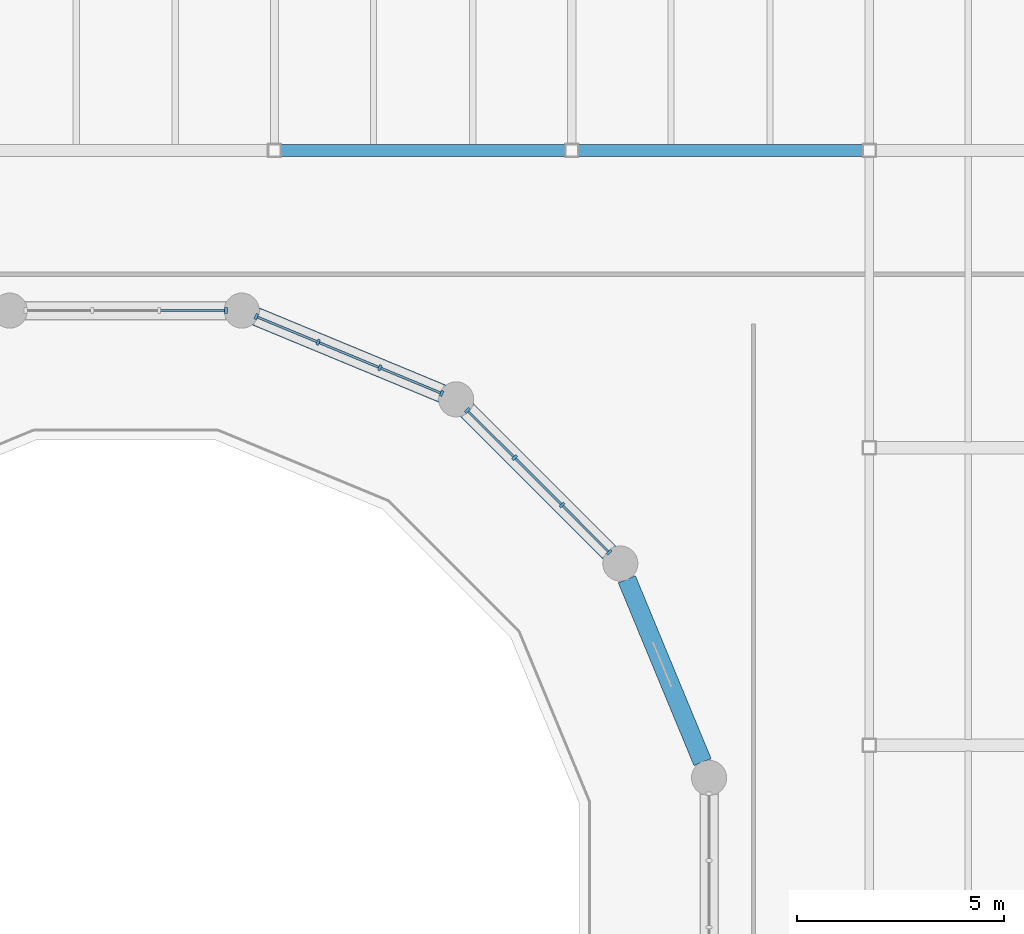
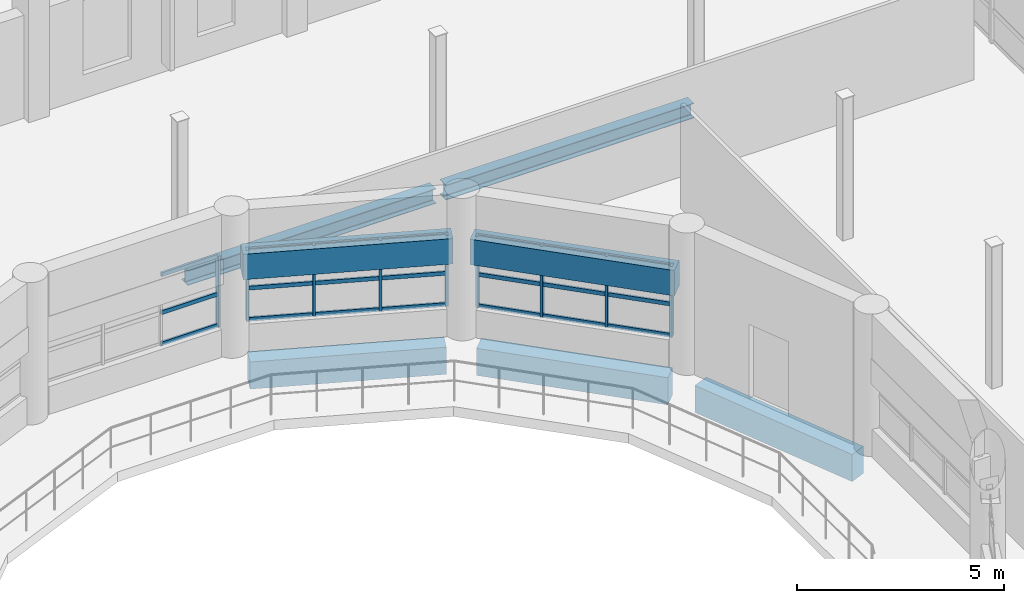
# One storey, part 31 of 63: 30 members, 7 beams, 3 elements without a shape of their own.
"""IFC4 building model written with IfcOpenShell, lengths in metres."""

from ifc_helpers import new_model, si_unit, direction, frame, origin, origin_2d, place, context, subcontext, project, spatial, rectangle, i_section, extrude, material, material_profile, profile_set, type_object, element, aggregate, save


model = new_model("IFC4")

# Units and contexts
model_context = context("Model", 3, precision=1e-05, world=origin(), true_north=direction((0.0, 1.0)))
body_context = subcontext(model_context, "Body", "Model", "MODEL_VIEW")
ifc_project = project(units=[si_unit("LENGTHUNIT", "METRE"), si_unit("AREAUNIT", "SQUARE_METRE"), si_unit("VOLUMEUNIT", "CUBIC_METRE"), si_unit("PLANEANGLEUNIT", "RADIAN"), si_unit("MASSUNIT", "GRAM", prefix="KILO")], contexts=[model_context])

# Site, building, storey
site_placement = place(None, origin())
site = spatial("IfcSite", under=ifc_project, at=site_placement, CompositionType="ELEMENT")
building_placement = place(site_placement, origin())
building = spatial("IfcBuilding", under=site, at=building_placement, Name="Qiaolan Assembly House", CompositionType="ELEMENT")
storey_placement = place(building_placement, frame((0.0, 0.0, 14.39990234375)))
storey = spatial("IfcBuildingStorey", under=building, at=storey_placement, Name="L03", CompositionType="ELEMENT", Elevation=14.39990234375)

# Beams
ifc_material_1 = material(Name="Concrete C40/50", Category="concrete")
ifc_material_profile_1 = material_profile(ifc_material_1, rectangle(XDim=0.449951171875, YDim=0.75, at=origin_2d()), Name="RCB 450x750")
ifc_profile_set_1 = profile_set([ifc_material_profile_1], Name="Concrete C40/50")
beam_type_1 = type_object("IfcBeamType", Name="BM-RC-450x750", PredefinedType="BEAM", material=ifc_profile_set_1)
for number, where, z_axis, x_axis, name in (
    (1, (76.576904296875, 72.996337890625, 2.525146484375), (0.707106781187, -0.707106781187, 0.0), (0.707106781187, 0.707106781187, 0.0), "GB-04 drum clerestory lintel beam 2 L03"),
    (2, (71.440185546875, 75.2275390625, 2.525146484375), (0.92388487309, -0.382670538813, 0.0), (0.382670538813, 0.92388487309, 0.0), "GB-04 drum clerestory lintel beam 3 L03"),
):
    element("IfcBeam", number, at=place(storey_placement, frame(where, z_axis=z_axis, x_axis=x_axis)), inside=storey, type_object=beam_type_1, Name=name, PredefinedType="BEAM", context=body_context, shape_type="SweptSolid", body=[
        extrude(rectangle(XDim=0.449951171875, YDim=0.75, at=origin_2d()), origin(), (0.0, 0.0, 1.0), 5.11865234375),
    ])
ifc_material_profile_2 = material_profile(ifc_material_1, rectangle(XDim=0.449951171875, YDim=0.800048828125, at=origin_2d()), Name="RCB 450x800")
ifc_profile_set_2 = profile_set([ifc_material_profile_2], Name="Concrete C40/50")
beam_type_2 = type_object("IfcBeamType", Name="BM-RC-450x800", PredefinedType="BEAM", material=ifc_profile_set_2)
for number, where, z_axis, x_axis, name in (
    (3, (82.364501953125, 64.392822265625, -0.68994140625), (-0.38268500057, 0.923878882938, 0.0), (-0.923878882938, -0.38268500057, 0.0), "GB-03 beam BM-DRUM-L03-00"),
    (4, (80.079833984375, 69.49365234375, -0.68994140625), (-0.707132272157, 0.707081289297, 0.0), (-0.707081289297, -0.707132272157, 0.0), "GB-03 beam BM-DRUM-L03-01"),
    (5, (76.016845703125, 73.33203125, -0.68994140625), (-0.923878882938, 0.38268500057, 0.0), (-0.38268500057, -0.923878882938, 0.0), "GB-03 beam BM-DRUM-L03-02"),
):
    element("IfcBeam", number, at=place(storey_placement, frame(where, z_axis=z_axis, x_axis=x_axis)), inside=storey, type_object=beam_type_2, Name=name, PredefinedType="BEAM", context=body_context, shape_type="SweptSolid", body=[
        extrude(rectangle(XDim=0.449951171875, YDim=0.800048828125, at=origin_2d()), origin(), (0.0, 0.0, 1.0), 4.78857421875),
    ])
ifc_material_2 = material(Name="Steel Q355B", Category="steel")
ifc_material_profile_3 = material_profile(ifc_material_2, i_section(OverallWidth=0.300048828125, OverallDepth=0.43994140625, WebThickness=0.010986328125, FlangeThickness=0.01806640625, FilletRadius=0.02001953125, at=origin_2d()), Name="HM 440x300x11x18")
ifc_profile_set_3 = profile_set([ifc_material_profile_3], Name="Steel Q355B")
beam_type_3 = type_object("IfcBeamType", Name="BM-STL-HM440", PredefinedType="BEAM", material=ifc_profile_set_3)
beam_1_placement = place(storey_placement, frame((72.139892578125, 79.199951171875, -0.52001953125), z_axis=(1.0, 0.0, 0.0), x_axis=(0.0, 1.0, 0.0)))
element("IfcBeam", 6, at=beam_1_placement, inside=storey, type_object=beam_type_3, Name="SB-06 beam BMX-HLC-L03-04-06", PredefinedType="BEAM", context=body_context, shape_type="SweptSolid", body=[
    extrude(i_section(OverallWidth=0.300048828125, OverallDepth=0.43994140625, WebThickness=0.010986328125, FlangeThickness=0.01806640625, FilletRadius=0.02001953125, at=origin_2d()), origin(), (0.0, 0.0, 1.0), 6.920166015625),
])
beam_2_placement = place(storey_placement, frame((79.340087890625, 79.199951171875, -0.52001953125), z_axis=(1.0, 0.0, 0.0), x_axis=(0.0, 1.0, 0.0)))
element("IfcBeam", 7, at=beam_2_placement, inside=storey, type_object=beam_type_3, Name="SB-06 beam BMX-HLC-L03-05-06", PredefinedType="BEAM", context=body_context, shape_type="SweptSolid", body=[
    extrude(i_section(OverallWidth=0.300048828125, OverallDepth=0.43994140625, WebThickness=0.010986328125, FlangeThickness=0.01806640625, FilletRadius=0.02001953125, at=origin_2d()), origin(), (0.0, 0.0, 1.0), 6.919921875),
])

# Curtain wall, members
ifc_material_3 = material(Name="Anodised bronze aluminium", Category="aluminium")
curtain_wall_type = type_object("IfcCurtainWallType", Name="CW-DRUM-CLERESTORY", PredefinedType="NOTDEFINED", material=ifc_material_3)
curtain_wall_1_placement = place(storey_placement, origin())
curtain_wall_1 = element("IfcCurtainWall", 8, at=curtain_wall_1_placement, inside=storey, type_object=curtain_wall_type, Name="CW-06 Council Chamber Drum Clerestory Curtain Wall 2", PredefinedType="NOTDEFINED")
ifc_material_profile_4 = material_profile(ifc_material_3, rectangle(XDim=0.06591796875, YDim=0.14501953125, at=origin_2d()), Name="MUL 66x145")
ifc_profile_set_4 = profile_set([ifc_material_profile_4], Name="Anodised bronze aluminium")
member_type_1 = type_object("IfcMemberType", Name="CW-DRUM-CLERESTORY-MUL", PredefinedType="MULLION", material=ifc_profile_set_4)
member_1_placement = place(storey_placement, frame((76.6689453125, 72.904541015625, 0.800048828125), z_axis=(0.0, 0.0, 1.0), x_axis=(0.707106781187, -0.707106781187, 0.0)))
member_1 = element("IfcMember", 9, at=member_1_placement, type_object=member_type_1, Name="ML-07 mullion CW-DRUM-CLER-01-1", PredefinedType="MULLION", context=body_context, shape_type="SweptSolid", body=[
    extrude(rectangle(XDim=0.06591796875, YDim=0.14501953125, at=origin_2d()), origin(), (0.0, 0.0, 1.0), 2.10009765625),
])
member_2_placement = place(storey_placement, frame((77.81396484375, 71.75927734375, 0.800048828125), z_axis=(0.0, 0.0, 1.0), x_axis=(0.707106781187, -0.707106781187, 0.0)))
member_2 = element("IfcMember", 10, at=member_2_placement, type_object=member_type_1, Name="ML-07 mullion CW-DRUM-CLER-01-2", PredefinedType="MULLION", context=body_context, shape_type="SweptSolid", body=[
    extrude(rectangle(XDim=0.06591796875, YDim=0.14501953125, at=origin_2d()), origin(), (0.0, 0.0, 1.0), 2.10009765625),
])
member_3_placement = place(storey_placement, frame((78.959228515625, 70.614013671875, 0.800048828125), z_axis=(0.0, 0.0, 1.0), x_axis=(0.707106781187, -0.707106781187, 0.0)))
member_3 = element("IfcMember", 11, at=member_3_placement, type_object=member_type_1, Name="ML-07 mullion CW-DRUM-CLER-01-3", PredefinedType="MULLION", context=body_context, shape_type="SweptSolid", body=[
    extrude(rectangle(XDim=0.06591796875, YDim=0.14501953125, at=origin_2d()), origin(), (0.0, 0.0, 1.0), 2.10009765625),
])
member_4_placement = place(storey_placement, frame((80.1044921875, 69.468994140625, 0.800048828125), z_axis=(0.0, 0.0, 1.0), x_axis=(0.707106781187, -0.707106781187, 0.0)))
member_4 = element("IfcMember", 12, at=member_4_placement, type_object=member_type_1, Name="ML-07 mullion CW-DRUM-CLER-01-4", PredefinedType="MULLION", context=body_context, shape_type="SweptSolid", body=[
    extrude(rectangle(XDim=0.06591796875, YDim=0.14501953125, at=origin_2d()), origin(), (0.0, 0.0, 1.0), 2.10009765625),
])

curtain_wall_2_placement = place(storey_placement, origin())
curtain_wall_2 = element("IfcCurtainWall", 13, at=curtain_wall_2_placement, inside=storey, type_object=curtain_wall_type, Name="CW-06 Council Chamber Drum Clerestory Curtain Wall 3", PredefinedType="NOTDEFINED")
member_5_placement = place(storey_placement, frame((71.560302734375, 75.177978515625, 0.800048828125), z_axis=(0.0, 0.0, 1.0), x_axis=(0.923879539691, -0.382683415031, 0.0)))
member_5 = element("IfcMember", 14, at=member_5_placement, type_object=member_type_1, Name="ML-07 mullion CW-DRUM-CLER-02-1", PredefinedType="MULLION", context=body_context, shape_type="SweptSolid", body=[
    extrude(rectangle(XDim=0.06591796875, YDim=0.14501953125, at=origin_2d()), origin(), (0.0, 0.0, 1.0), 2.10009765625),
])
member_6_placement = place(storey_placement, frame((73.056640625, 74.55810546875, 0.800048828125), z_axis=(0.0, 0.0, 1.0), x_axis=(0.923879539691, -0.382683415031, 0.0)))
member_6 = element("IfcMember", 15, at=member_6_placement, type_object=member_type_1, Name="ML-07 mullion CW-DRUM-CLER-02-2", PredefinedType="MULLION", context=body_context, shape_type="SweptSolid", body=[
    extrude(rectangle(XDim=0.06591796875, YDim=0.14501953125, at=origin_2d()), origin(), (0.0, 0.0, 1.0), 2.10009765625),
])
member_7_placement = place(storey_placement, frame((74.552978515625, 73.938232421875, 0.800048828125), z_axis=(0.0, 0.0, 1.0), x_axis=(0.923879539691, -0.382683415031, 0.0)))
member_7 = element("IfcMember", 16, at=member_7_placement, type_object=member_type_1, Name="ML-07 mullion CW-DRUM-CLER-02-3", PredefinedType="MULLION", context=body_context, shape_type="SweptSolid", body=[
    extrude(rectangle(XDim=0.06591796875, YDim=0.14501953125, at=origin_2d()), origin(), (0.0, 0.0, 1.0), 2.10009765625),
])
member_8_placement = place(storey_placement, frame((76.049072265625, 73.318603515625, 0.800048828125), z_axis=(0.0, 0.0, 1.0), x_axis=(0.923879539691, -0.382683415031, 0.0)))
member_8 = element("IfcMember", 17, at=member_8_placement, type_object=member_type_1, Name="ML-07 mullion CW-DRUM-CLER-02-4", PredefinedType="MULLION", context=body_context, shape_type="SweptSolid", body=[
    extrude(rectangle(XDim=0.06591796875, YDim=0.14501953125, at=origin_2d()), origin(), (0.0, 0.0, 1.0), 2.10009765625),
])

# Curtain wall, member
curtain_wall_3_placement = place(storey_placement, origin())
curtain_wall_3 = element("IfcCurtainWall", 18, at=curtain_wall_3_placement, inside=storey, type_object=curtain_wall_type, Name="CW-06 Council Chamber Drum Clerestory Curtain Wall 4", PredefinedType="NOTDEFINED")
member_9_placement = place(storey_placement, frame((70.829345703125, 75.3232421875, 0.800048828125), z_axis=(0.0, 0.0, 1.0), x_axis=(1.0, 0.0, 0.0)))
member_9 = element("IfcMember", 19, at=member_9_placement, type_object=member_type_1, Name="ML-07 mullion CW-DRUM-CLER-03-4", PredefinedType="MULLION", context=body_context, shape_type="SweptSolid", body=[
    extrude(rectangle(XDim=0.06591796875, YDim=0.14501953125, at=origin_2d()), origin(), (0.0, 0.0, 1.0), 2.10009765625),
])

# Member
ifc_material_profile_5 = material_profile(ifc_material_3, rectangle(XDim=0.05810546875, YDim=0.114990234375, at=origin_2d()), Name="TRN 58x115")
ifc_profile_set_5 = profile_set([ifc_material_profile_5], Name="Anodised bronze aluminium")
member_type_2 = type_object("IfcMemberType", Name="CW-DRUM-CLERESTORY-TRN", PredefinedType="USERDEFINED", material=ifc_profile_set_5)
member_10_placement = place(storey_placement, frame((76.692138671875, 72.881103515625, 0.830078125), z_axis=(0.707185352971, -0.70702820067, 0.0), x_axis=(0.70702820067, 0.707185352971, 0.0)))
member_10 = element("IfcMember", 20, at=member_10_placement, type_object=member_type_2, Name="TR-07 transom CW-DRUM-CLER-01-1-1", ObjectType="TRANSOM", PredefinedType="USERDEFINED", context=body_context, shape_type="SweptSolid", body=[
    extrude(rectangle(XDim=0.05810546875, YDim=0.114990234375, at=origin_2d()), origin(), (0.0, 0.0, 1.0), 1.553466796875),
])

member_11_placement = place(storey_placement, frame((76.692138671875, 72.881103515625, 1.75), z_axis=(0.707185352971, -0.70702820067, 0.0), x_axis=(0.70702820067, 0.707185352971, 0.0)))
member_11 = element("IfcMember", 21, at=member_11_placement, type_object=member_type_2, Name="TR-07 transom CW-DRUM-CLER-01-1-2", ObjectType="TRANSOM", PredefinedType="USERDEFINED", context=body_context, shape_type="SweptSolid", body=[
    extrude(rectangle(XDim=0.05810546875, YDim=0.114990234375, at=origin_2d()), origin(), (0.0, 0.0, 1.0), 1.553466796875),
])

member_12_placement = place(storey_placement, frame((76.692138671875, 72.881103515625, 2.8701171875), z_axis=(0.707185352971, -0.70702820067, 0.0), x_axis=(0.70702820067, 0.707185352971, 0.0)))
member_12 = element("IfcMember", 22, at=member_12_placement, type_object=member_type_2, Name="TR-07 transom CW-DRUM-CLER-01-1-3", ObjectType="TRANSOM", PredefinedType="USERDEFINED", context=body_context, shape_type="SweptSolid", body=[
    extrude(rectangle(XDim=0.05810546875, YDim=0.114990234375, at=origin_2d()), origin(), (0.0, 0.0, 1.0), 1.553466796875),
])

member_13_placement = place(storey_placement, frame((77.83740234375, 71.736083984375, 0.830078125), z_axis=(0.707106781187, -0.707106781187, 0.0), x_axis=(0.707106781187, 0.707106781187, 0.0)))
member_13 = element("IfcMember", 23, at=member_13_placement, type_object=member_type_2, Name="TR-07 transom CW-DRUM-CLER-01-2-1", ObjectType="TRANSOM", PredefinedType="USERDEFINED", context=body_context, shape_type="SweptSolid", body=[
    extrude(rectangle(XDim=0.05810546875, YDim=0.114990234375, at=origin_2d()), origin(), (0.0, 0.0, 1.0), 1.5537109375),
])

member_14_placement = place(storey_placement, frame((77.83740234375, 71.736083984375, 1.75), z_axis=(0.707106781187, -0.707106781187, 0.0), x_axis=(0.707106781187, 0.707106781187, 0.0)))
member_14 = element("IfcMember", 24, at=member_14_placement, type_object=member_type_2, Name="TR-07 transom CW-DRUM-CLER-01-2-2", ObjectType="TRANSOM", PredefinedType="USERDEFINED", context=body_context, shape_type="SweptSolid", body=[
    extrude(rectangle(XDim=0.05810546875, YDim=0.114990234375, at=origin_2d()), origin(), (0.0, 0.0, 1.0), 1.5537109375),
])

member_15_placement = place(storey_placement, frame((77.83740234375, 71.736083984375, 2.8701171875), z_axis=(0.707106781187, -0.707106781187, 0.0), x_axis=(0.707106781187, 0.707106781187, 0.0)))
member_15 = element("IfcMember", 25, at=member_15_placement, type_object=member_type_2, Name="TR-07 transom CW-DRUM-CLER-01-2-3", ObjectType="TRANSOM", PredefinedType="USERDEFINED", context=body_context, shape_type="SweptSolid", body=[
    extrude(rectangle(XDim=0.05810546875, YDim=0.114990234375, at=origin_2d()), origin(), (0.0, 0.0, 1.0), 1.5537109375),
])

member_16_placement = place(storey_placement, frame((78.982666015625, 70.5908203125, 0.830078125), z_axis=(0.70702820067, -0.707185352971, 0.0), x_axis=(0.707185352971, 0.70702820067, 0.0)))
member_16 = element("IfcMember", 26, at=member_16_placement, type_object=member_type_2, Name="TR-07 transom CW-DRUM-CLER-01-3-1", ObjectType="TRANSOM", PredefinedType="USERDEFINED", context=body_context, shape_type="SweptSolid", body=[
    extrude(rectangle(XDim=0.05810546875, YDim=0.114990234375, at=origin_2d()), origin(), (0.0, 0.0, 1.0), 1.553466796875),
])

member_17_placement = place(storey_placement, frame((78.982666015625, 70.5908203125, 1.75), z_axis=(0.70702820067, -0.707185352971, 0.0), x_axis=(0.707185352971, 0.70702820067, 0.0)))
member_17 = element("IfcMember", 27, at=member_17_placement, type_object=member_type_2, Name="TR-07 transom CW-DRUM-CLER-01-3-2", ObjectType="TRANSOM", PredefinedType="USERDEFINED", context=body_context, shape_type="SweptSolid", body=[
    extrude(rectangle(XDim=0.05810546875, YDim=0.114990234375, at=origin_2d()), origin(), (0.0, 0.0, 1.0), 1.553466796875),
])

member_18_placement = place(storey_placement, frame((78.982666015625, 70.5908203125, 2.8701171875), z_axis=(0.70702820067, -0.707185352971, 0.0), x_axis=(0.707185352971, 0.70702820067, 0.0)))
member_18 = element("IfcMember", 28, at=member_18_placement, type_object=member_type_2, Name="TR-07 transom CW-DRUM-CLER-01-3-3", ObjectType="TRANSOM", PredefinedType="USERDEFINED", context=body_context, shape_type="SweptSolid", body=[
    extrude(rectangle(XDim=0.05810546875, YDim=0.114990234375, at=origin_2d()), origin(), (0.0, 0.0, 1.0), 1.553466796875),
])

aggregate(curtain_wall_1, [member_1, member_2, member_3, member_4, member_10, member_11, member_12, member_13, member_14, member_15, member_16, member_17, member_18])

member_19_placement = place(storey_placement, frame((71.5908203125, 75.165283203125, 0.830078125), z_axis=(0.923888507225, -0.382661764772, 0.0), x_axis=(0.382661764772, 0.923888507225, 0.0)))
member_19 = element("IfcMember", 29, at=member_19_placement, type_object=member_type_2, Name="TR-07 transom CW-DRUM-CLER-02-1-1", ObjectType="TRANSOM", PredefinedType="USERDEFINED", context=body_context, shape_type="SweptSolid", body=[
    extrude(rectangle(XDim=0.05810546875, YDim=0.114990234375, at=origin_2d()), origin(), (0.0, 0.0, 1.0), 1.553466796875),
])

member_20_placement = place(storey_placement, frame((71.5908203125, 75.165283203125, 1.75), z_axis=(0.923888507225, -0.382661764772, 0.0), x_axis=(0.382661764772, 0.923888507225, 0.0)))
member_20 = element("IfcMember", 30, at=member_20_placement, type_object=member_type_2, Name="TR-07 transom CW-DRUM-CLER-02-1-2", ObjectType="TRANSOM", PredefinedType="USERDEFINED", context=body_context, shape_type="SweptSolid", body=[
    extrude(rectangle(XDim=0.05810546875, YDim=0.114990234375, at=origin_2d()), origin(), (0.0, 0.0, 1.0), 1.553466796875),
])

member_21_placement = place(storey_placement, frame((71.5908203125, 75.165283203125, 2.8701171875), z_axis=(0.923888507225, -0.382661764772, 0.0), x_axis=(0.382661764772, 0.923888507225, 0.0)))
member_21 = element("IfcMember", 31, at=member_21_placement, type_object=member_type_2, Name="TR-07 transom CW-DRUM-CLER-02-1-3", ObjectType="TRANSOM", PredefinedType="USERDEFINED", context=body_context, shape_type="SweptSolid", body=[
    extrude(rectangle(XDim=0.05810546875, YDim=0.114990234375, at=origin_2d()), origin(), (0.0, 0.0, 1.0), 1.553466796875),
])

member_22_placement = place(storey_placement, frame((73.087158203125, 74.54541015625, 0.830078125), z_axis=(0.923888507225, -0.382661764772, 0.0), x_axis=(0.382661764772, 0.923888507225, 0.0)))
member_22 = element("IfcMember", 32, at=member_22_placement, type_object=member_type_2, Name="TR-07 transom CW-DRUM-CLER-02-2-1", ObjectType="TRANSOM", PredefinedType="USERDEFINED", context=body_context, shape_type="SweptSolid", body=[
    extrude(rectangle(XDim=0.05810546875, YDim=0.114990234375, at=origin_2d()), origin(), (0.0, 0.0, 1.0), 1.553466796875),
])

member_23_placement = place(storey_placement, frame((73.087158203125, 74.54541015625, 1.75), z_axis=(0.923888507225, -0.382661764772, 0.0), x_axis=(0.382661764772, 0.923888507225, 0.0)))
member_23 = element("IfcMember", 33, at=member_23_placement, type_object=member_type_2, Name="TR-07 transom CW-DRUM-CLER-02-2-2", ObjectType="TRANSOM", PredefinedType="USERDEFINED", context=body_context, shape_type="SweptSolid", body=[
    extrude(rectangle(XDim=0.05810546875, YDim=0.114990234375, at=origin_2d()), origin(), (0.0, 0.0, 1.0), 1.553466796875),
])

member_24_placement = place(storey_placement, frame((73.087158203125, 74.54541015625, 2.8701171875), z_axis=(0.923888507225, -0.382661764772, 0.0), x_axis=(0.382661764772, 0.923888507225, 0.0)))
member_24 = element("IfcMember", 34, at=member_24_placement, type_object=member_type_2, Name="TR-07 transom CW-DRUM-CLER-02-2-3", ObjectType="TRANSOM", PredefinedType="USERDEFINED", context=body_context, shape_type="SweptSolid", body=[
    extrude(rectangle(XDim=0.05810546875, YDim=0.114990234375, at=origin_2d()), origin(), (0.0, 0.0, 1.0), 1.553466796875),
])

member_25_placement = place(storey_placement, frame((74.58349609375, 73.92578125, 0.830078125), z_axis=(0.923865490643, -0.382717330676, 0.0), x_axis=(0.382717330676, 0.923865490643, 0.0)))
member_25 = element("IfcMember", 35, at=member_25_placement, type_object=member_type_2, Name="TR-07 transom CW-DRUM-CLER-02-3-1", ObjectType="TRANSOM", PredefinedType="USERDEFINED", context=body_context, shape_type="SweptSolid", body=[
    extrude(rectangle(XDim=0.05810546875, YDim=0.114990234375, at=origin_2d()), origin(), (0.0, 0.0, 1.0), 1.55322265625),
])

member_26_placement = place(storey_placement, frame((74.58349609375, 73.92578125, 1.75), z_axis=(0.923865490643, -0.382717330676, 0.0), x_axis=(0.382717330676, 0.923865490643, 0.0)))
member_26 = element("IfcMember", 36, at=member_26_placement, type_object=member_type_2, Name="TR-07 transom CW-DRUM-CLER-02-3-2", ObjectType="TRANSOM", PredefinedType="USERDEFINED", context=body_context, shape_type="SweptSolid", body=[
    extrude(rectangle(XDim=0.05810546875, YDim=0.114990234375, at=origin_2d()), origin(), (0.0, 0.0, 1.0), 1.55322265625),
])

member_27_placement = place(storey_placement, frame((74.58349609375, 73.92578125, 2.8701171875), z_axis=(0.923865490643, -0.382717330676, 0.0), x_axis=(0.382717330676, 0.923865490643, 0.0)))
member_27 = element("IfcMember", 37, at=member_27_placement, type_object=member_type_2, Name="TR-07 transom CW-DRUM-CLER-02-3-3", ObjectType="TRANSOM", PredefinedType="USERDEFINED", context=body_context, shape_type="SweptSolid", body=[
    extrude(rectangle(XDim=0.05810546875, YDim=0.114990234375, at=origin_2d()), origin(), (0.0, 0.0, 1.0), 1.55322265625),
])

aggregate(curtain_wall_2, [member_5, member_6, member_7, member_8, member_19, member_20, member_21, member_22, member_23, member_24, member_25, member_26, member_27])

member_28_placement = place(storey_placement, frame((69.242919921875, 75.3232421875, 0.830078125), z_axis=(1.0, 0.0, 0.0), x_axis=(0.0, 1.0, 0.0)))
member_28 = element("IfcMember", 38, at=member_28_placement, type_object=member_type_2, Name="TR-07 transom CW-DRUM-CLER-03-3-1", ObjectType="TRANSOM", PredefinedType="USERDEFINED", context=body_context, shape_type="SweptSolid", body=[
    extrude(rectangle(XDim=0.05810546875, YDim=0.114990234375, at=origin_2d()), origin(), (0.0, 0.0, 1.0), 1.553466796875),
])

member_29_placement = place(storey_placement, frame((69.242919921875, 75.3232421875, 1.75), z_axis=(1.0, 0.0, 0.0), x_axis=(0.0, 1.0, 0.0)))
member_29 = element("IfcMember", 39, at=member_29_placement, type_object=member_type_2, Name="TR-07 transom CW-DRUM-CLER-03-3-2", ObjectType="TRANSOM", PredefinedType="USERDEFINED", context=body_context, shape_type="SweptSolid", body=[
    extrude(rectangle(XDim=0.05810546875, YDim=0.114990234375, at=origin_2d()), origin(), (0.0, 0.0, 1.0), 1.553466796875),
])

member_30_placement = place(storey_placement, frame((69.242919921875, 75.3232421875, 2.8701171875), z_axis=(1.0, 0.0, 0.0), x_axis=(0.0, 1.0, 0.0)))
member_30 = element("IfcMember", 40, at=member_30_placement, type_object=member_type_2, Name="TR-07 transom CW-DRUM-CLER-03-3-3", ObjectType="TRANSOM", PredefinedType="USERDEFINED", context=body_context, shape_type="SweptSolid", body=[
    extrude(rectangle(XDim=0.05810546875, YDim=0.114990234375, at=origin_2d()), origin(), (0.0, 0.0, 1.0), 1.553466796875),
])

aggregate(curtain_wall_3, [member_9, member_28, member_29, member_30])

save(model, "model.ifc")
